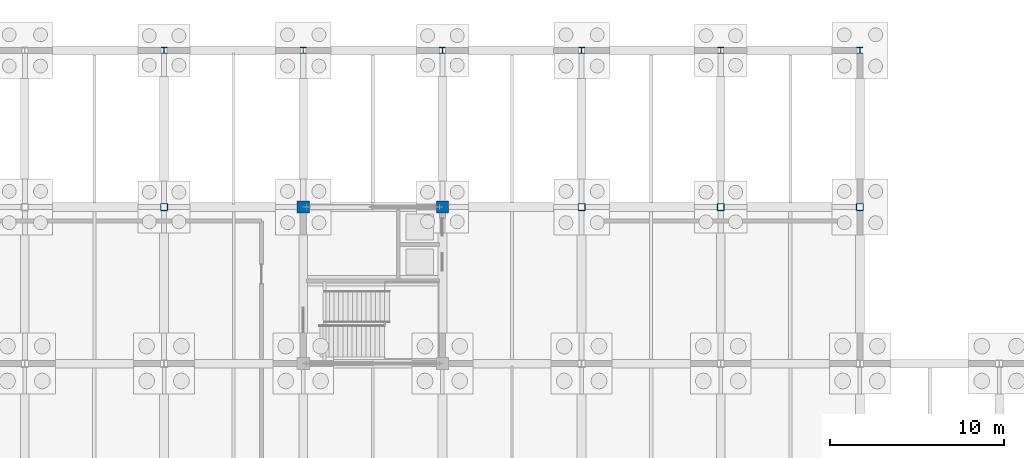
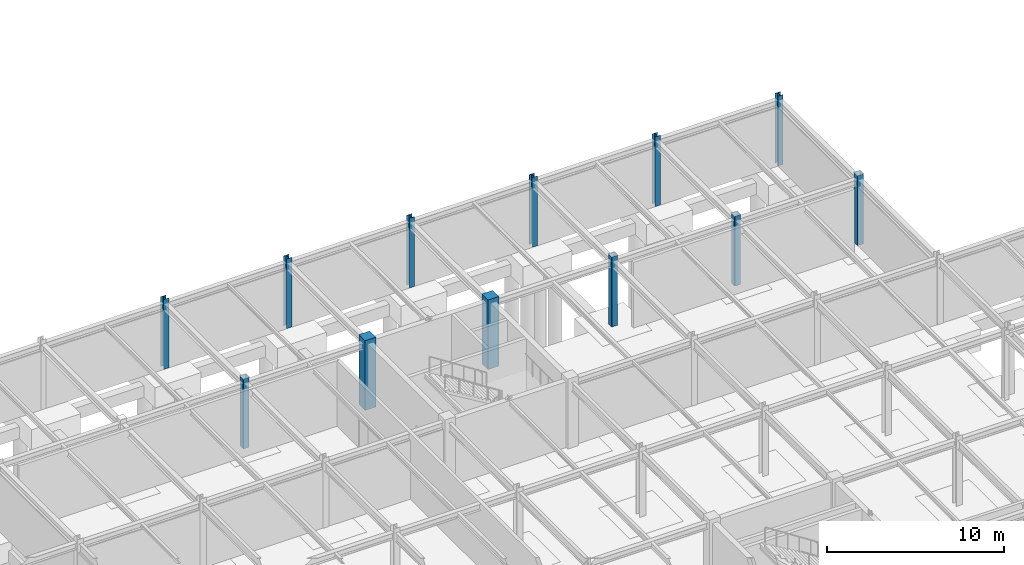
# One storey, part 27 of 72: 12 columns.
"""IFC4 building model written with IfcOpenShell, lengths in metres."""

from ifc_helpers import new_model, si_unit, direction, frame, origin, origin_2d, place, context, subcontext, project, spatial, rectangle, hollow_rectangle, i_section, extrude, material, material_profile, profile_set, type_object, element, save


model = new_model("IFC4")

# Units and contexts
model_context = context("Model", 3, precision=1e-05, world=origin(), true_north=direction((0.0, 1.0)))
body_context = subcontext(model_context, "Body", "Model", "MODEL_VIEW")
ifc_project = project(units=[si_unit("LENGTHUNIT", "METRE"), si_unit("AREAUNIT", "SQUARE_METRE"), si_unit("VOLUMEUNIT", "CUBIC_METRE"), si_unit("PLANEANGLEUNIT", "RADIAN"), si_unit("MASSUNIT", "GRAM", prefix="KILO")], contexts=[model_context])

# Site, building, storey
site_placement = place(None, origin())
site = spatial("IfcSite", under=ifc_project, at=site_placement, CompositionType="ELEMENT")
building_placement = place(site_placement, origin())
building = spatial("IfcBuilding", under=site, at=building_placement, Name="Zhaolan Boulevard Law Courts", CompositionType="ELEMENT")
storey_placement = place(building_placement, frame((0.0, 0.0, -4.800048828125)))
storey = spatial("IfcBuildingStorey", under=building, at=storey_placement, Name="B1", CompositionType="ELEMENT", Elevation=-4.800048828125)

# Columns
ifc_material_1 = material(Name="Structural steel Q355B", Category="steel")
ifc_material_profile_1 = material_profile(ifc_material_1, hollow_rectangle(XDim=0.39990234375, YDim=0.39990234375, WallThickness=0.01611328125, InnerFilletRadius=0.01611328125, OuterFilletRadius=0.031982421875, at=origin_2d()), Name="BOX400x400x16")
ifc_profile_set_1 = profile_set([ifc_material_profile_1], Name="Structural steel Q355B")
column_type_1 = type_object("IfcColumnType", Name="COL BOX400", PredefinedType="COLUMN", material=ifc_profile_set_1)
for number, where, z_axis, x_axis, name in (
    (1, (68.0, 103.0, 0.0), (0.0, 0.0, 1.0), (1.0, 0.0, 0.0), "Column C-9P (B1)"),
    (2, (92.0, 103.0, 0.0), (0.0, 0.0, 1.0), (1.0, 0.0, 0.0), "Column C-12P (B1)"),
    (3, (100.0, 103.0, 0.0), (0.0, 0.0, 1.0), (1.0, 0.0, 0.0), "Column C-13P (B1)"),
    (4, (108.0, 103.0, 0.0), (0.0, 0.0, 1.0), (1.0, 0.0, 0.0), "Column C-14P (B1)"),
):
    element("IfcColumn", number, at=place(storey_placement, frame(where, z_axis=z_axis, x_axis=x_axis)), inside=storey, type_object=column_type_1, Name=name, PredefinedType="COLUMN", context=body_context, shape_type="SweptSolid", body=[
        extrude(hollow_rectangle(XDim=0.39990234375, YDim=0.39990234375, WallThickness=0.01611328125, InnerFilletRadius=0.01611328125, OuterFilletRadius=0.031982421875, at=origin_2d()), origin(), (0.0, 0.0, 1.0), 4.800048828125),
    ])
ifc_material_2 = material(Name="Structural steel Q355B", Category="steel")
ifc_material_profile_2 = material_profile(ifc_material_2, i_section(OverallWidth=0.35009765625, OverallDepth=0.35009765625, WebThickness=0.011962890625, FlangeThickness=0.01904296875, FilletRadius=0.02001953125, at=origin_2d()), Name="HW350x350")
ifc_profile_set_2 = profile_set([ifc_material_profile_2], Name="Structural steel Q355B")
column_type_2 = type_object("IfcColumnType", Name="COL HW350", PredefinedType="COLUMN", material=ifc_profile_set_2)
for number, where, z_axis, x_axis, name in (
    (5, (68.0, 112.0, 0.0), (0.0, 0.0, 1.0), (1.0, 0.0, 0.0), "Column C-9Q (B1)"),
    (6, (76.0, 112.0, 0.0), (0.0, 0.0, 1.0), (1.0, 0.0, 0.0), "Column C-10Q (B1)"),
    (7, (84.0, 112.0, 0.0), (0.0, 0.0, 1.0), (1.0, 0.0, 0.0), "Column C-11Q (B1)"),
    (8, (92.0, 112.0, 0.0), (0.0, 0.0, 1.0), (1.0, 0.0, 0.0), "Column C-12Q (B1)"),
    (9, (100.0, 112.0, 0.0), (0.0, 0.0, 1.0), (1.0, 0.0, 0.0), "Column C-13Q (B1)"),
    (10, (108.0, 112.0, 0.0), (0.0, 0.0, 1.0), (1.0, 0.0, 0.0), "Column C-14Q (B1)"),
):
    element("IfcColumn", number, at=place(storey_placement, frame(where, z_axis=z_axis, x_axis=x_axis)), inside=storey, type_object=column_type_2, Name=name, PredefinedType="COLUMN", context=body_context, shape_type="SweptSolid", body=[
        extrude(i_section(OverallWidth=0.35009765625, OverallDepth=0.35009765625, WebThickness=0.011962890625, FlangeThickness=0.01904296875, FilletRadius=0.02001953125, at=origin_2d()), origin(), (0.0, 0.0, 1.0), 4.800048828125),
    ])
ifc_material_3 = material(Name="Concrete C50", Category="concrete")
ifc_material_profile_3 = material_profile(ifc_material_3, rectangle(XDim=0.699951171875, YDim=0.699951171875, at=origin_2d()), Name="RC700x700")
ifc_profile_set_3 = profile_set([ifc_material_profile_3], Name="Concrete C50")
column_type_3 = type_object("IfcColumnType", Name="COL RC700", PredefinedType="COLUMN", material=ifc_profile_set_3)
for number, where, z_axis, x_axis, name in (
    (11, (76.0, 103.0, 0.0), (0.0, 0.0, 1.0), (1.0, 0.0, 0.0), "Column C-10P (B1)"),
    (12, (84.0, 103.0, 0.0), (0.0, 0.0, 1.0), (1.0, 0.0, 0.0), "Column C-11P (B1)"),
):
    element("IfcColumn", number, at=place(storey_placement, frame(where, z_axis=z_axis, x_axis=x_axis)), inside=storey, type_object=column_type_3, Name=name, PredefinedType="COLUMN", context=body_context, shape_type="SweptSolid", body=[
        extrude(rectangle(XDim=0.699951171875, YDim=0.699951171875, at=origin_2d()), origin(), (0.0, 0.0, 1.0), 4.800048828125),
    ])

save(model, "model.ifc")
